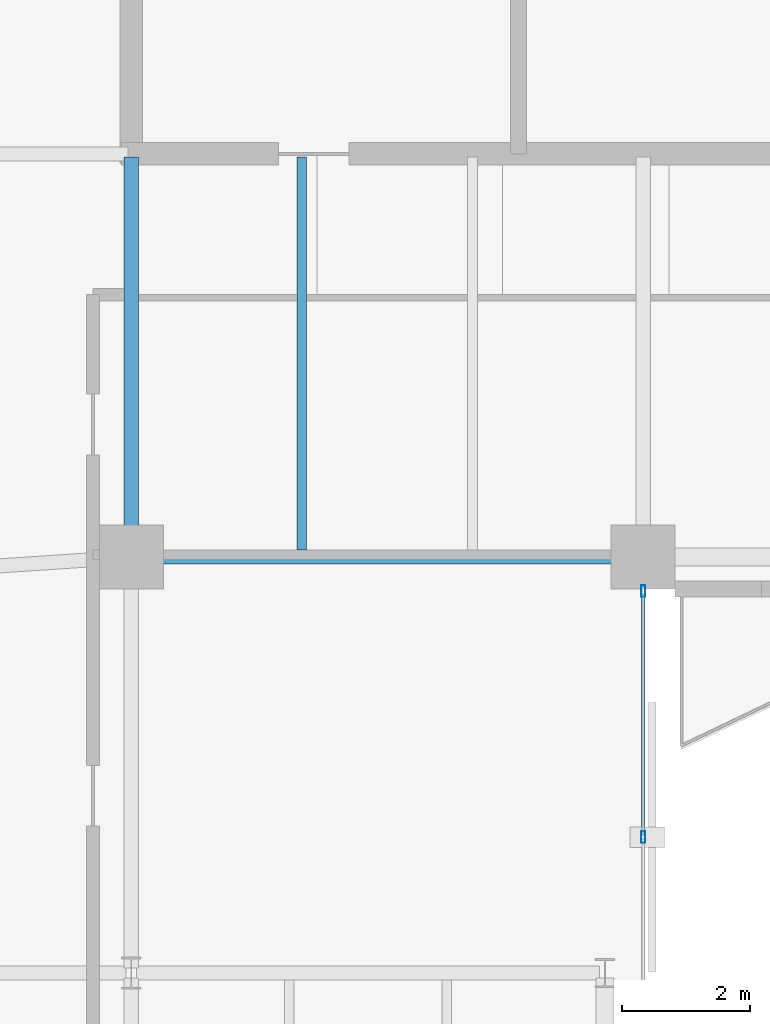
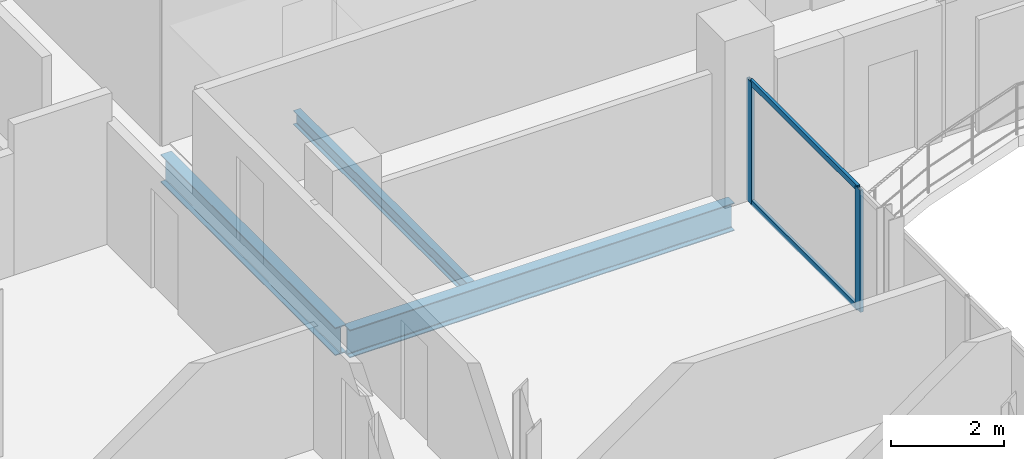
# One storey, part 10 of 23: 4 members, 3 beams, 1 element without a shape of its own.
"""IFC4 building model written with IfcOpenShell, lengths in metres."""

import ifcopenshell
import ifcopenshell.guid

model = None  # the IFC model being written
_history = None  # IfcOwnerHistory: only IFC2X3 demands one
_inside = {}  # id of a spatial element -> (the spatial element, [elements in it])
_under = {}  # id of a project, library or spatial element -> (it, [spatial elements below it])
_declared = {}  # id of a project -> (the project, [libraries it declares])
_typed = {}  # id of a type object -> (the type object, [elements of that type])
_made_of = {}  # id of a material, layer set ... -> (it, [elements and type objects made of it])


def new_model(schema):
    """Start an empty IFC model of exactly this schema.

    Asked for "IFC4X3", IfcOpenShell would pick the latest addendum, in which some entities
    have other attributes; the version numbers below select the first issue.
    IFC2X3 requires an IfcOwnerHistory on every rooted entity: one is made here for all.
    """
    global model, _history
    if schema == "IFC4X3":
        model = ifcopenshell.file(schema_version=(4, 3, 0, 0))
    else:
        model = ifcopenshell.file(schema=schema)
    _inside.clear()
    _under.clear()
    _declared.clear()
    _typed.clear()
    _made_of.clear()
    _history = None
    if model.schema == "IFC2X3":
        org = make("IfcOrganization", Name="unknown")
        user = make(
            "IfcPersonAndOrganization",
            ThePerson=make("IfcPerson", FamilyName="unknown"),
            TheOrganization=org,
        )
        app = make(
            "IfcApplication",
            ApplicationDeveloper=org,
            Version="unknown",
            ApplicationFullName="unknown",
            ApplicationIdentifier="unknown",
        )
        _history = make(
            "IfcOwnerHistory",
            OwningUser=user,
            OwningApplication=app,
            ChangeAction="ADDED",
            CreationDate=0,
        )
    return model


def make(cls, **values):
    """One entity of the class cls with the attributes given. An attribute that is None is left unset."""
    return model.create_entity(
        cls, **{name: value for name, value in values.items() if value is not None}
    )


def rooted(cls, **values):
    """An entity with a GlobalId (a new one), such as an element, a storey or a relation."""
    return make(cls, GlobalId=ifcopenshell.guid.new(), OwnerHistory=_history, **values)


def si_unit(unit_type, name, prefix=None):
    """IfcSIUnit, for example si_unit("LENGTHUNIT", "METRE", prefix="MILLI")."""
    return make("IfcSIUnit", UnitType=unit_type, Prefix=prefix, Name=name)


def assignment(units):
    """IfcUnitAssignment: the units of a project."""
    return None if units is None else make("IfcUnitAssignment", Units=units)


def point(xyz):
    """IfcCartesianPoint."""
    return None if xyz is None else make("IfcCartesianPoint", Coordinates=xyz)


def direction(xyz):
    """IfcDirection."""
    return None if xyz is None else make("IfcDirection", DirectionRatios=xyz)


def frame(location, z_axis=None, x_axis=None):
    """IfcAxis2Placement3D, a coordinate frame: its origin and axes. An axis left out is left unset."""
    return make(
        "IfcAxis2Placement3D",
        Location=point(location),
        Axis=direction(z_axis),
        RefDirection=direction(x_axis),
    )


def frame_2d(location, x_axis=None):
    """IfcAxis2Placement2D, a coordinate frame in the plane: its origin and x axis."""
    return make(
        "IfcAxis2Placement2D", Location=point(location), RefDirection=direction(x_axis)
    )


def origin():
    """The frame at (0, 0, 0) with its axes left unset."""
    return frame((0.0, 0.0, 0.0))


def origin_2d():
    """The frame at (0, 0) in the plane with its x axis left unset."""
    return frame_2d((0.0, 0.0))


def place(relative_to, where):
    """IfcLocalPlacement: puts the frame where relative to a parent placement (None: the world)."""
    return make(
        "IfcLocalPlacement", PlacementRelTo=relative_to, RelativePlacement=where
    )


def context(
    kind, dimensions, precision=None, world=None, true_north=None, identifier=None
):
    """IfcGeometricRepresentationContext, for example the 3D "Model" context."""
    return make(
        "IfcGeometricRepresentationContext",
        ContextIdentifier=identifier,
        ContextType=kind,
        CoordinateSpaceDimension=dimensions,
        Precision=precision,
        WorldCoordinateSystem=world,
        TrueNorth=true_north,
    )


def subcontext(parent, identifier, kind, view, scale=None):
    """IfcGeometricRepresentationSubContext, for example "Body" below "Model"."""
    return make(
        "IfcGeometricRepresentationSubContext",
        ContextIdentifier=identifier,
        ContextType=kind,
        ParentContext=parent,
        TargetScale=scale,
        TargetView=view,
    )


def project(units=None, contexts=None):
    """IfcProject with its units and contexts."""
    return rooted(
        "IfcProject",
        Name="project",
        RepresentationContexts=contexts,
        UnitsInContext=assignment(units),
    )


def spatial(cls, under=None, at=None, **own):
    """A site, building, storey or space (cls), placed at a placement, below another one or the project."""
    s = rooted(cls, ObjectPlacement=at, **own)
    if under is not None:
        _under.setdefault(under.id(), (under, []))[1].append(s)
    return s


def profile(cls, at=None, kind="AREA", **sizes):
    """A parametric profile (cls). Its sizes go by their IFC names, for example OverallWidth=200.0."""
    return make(cls, ProfileType=kind, Position=at, **sizes)


def hollow_rectangle(**sizes):
    """IfcRectangleHollowProfileDef."""
    return profile("IfcRectangleHollowProfileDef", **sizes)


def i_section(**sizes):
    """IfcIShapeProfileDef."""
    return profile("IfcIShapeProfileDef", **sizes)


def extrude(swept, where, along, depth):
    """IfcExtrudedAreaSolid: the profile swept, set in the frame where, extruded along a direction by depth."""
    return make(
        "IfcExtrudedAreaSolid",
        SweptArea=swept,
        Position=where,
        ExtrudedDirection=direction(along),
        Depth=depth,
    )


def shape(context_of_items, identifier, shape_type, items):
    """IfcShapeRepresentation: the items that make up one representation, for example the "Body"."""
    return make(
        "IfcShapeRepresentation",
        ContextOfItems=context_of_items,
        RepresentationIdentifier=identifier,
        RepresentationType=shape_type,
        Items=items,
    )


def material(Name=None, Category=None):
    """IfcMaterial."""
    return make("IfcMaterial", Name=Name, Category=Category)


def layer(
    of_material, thickness, ventilated=None, Name=None, Category=None, Priority=None
):
    """IfcMaterialLayer: one layer of a wall or slab, of a material (None: an air gap)."""
    return make(
        "IfcMaterialLayer",
        Material=of_material,
        LayerThickness=thickness,
        IsVentilated=ventilated,
        Name=Name,
        Category=Category,
        Priority=Priority,
    )


def layer_set(layers, Name=None):
    """IfcMaterialLayerSet."""
    return make("IfcMaterialLayerSet", MaterialLayers=layers, LayerSetName=Name)


def material_profile(
    of_material, cross_section, Name=None, Category=None, Priority=None
):
    """IfcMaterialProfile: a cross section and its material."""
    return make(
        "IfcMaterialProfile",
        Name=Name,
        Material=of_material,
        Profile=cross_section,
        Priority=Priority,
        Category=Category,
    )


def profile_set(profiles, Name=None, composite=None):
    """IfcMaterialProfileSet."""
    return make(
        "IfcMaterialProfileSet",
        Name=Name,
        MaterialProfiles=profiles,
        CompositeProfile=composite,
    )


def made_of(thing, what):
    """Note that an element or type object is made of a material, layer set ...; save() writes the relation."""
    if what is not None:
        _made_of.setdefault(what.id(), (what, []))[1].append(thing)
    return thing


def type_object(cls, material=None, **own):
    """A type object (cls), such as IfcWallType, which elements share."""
    return made_of(rooted(cls, **own), material)


def element(
    cls,
    number,
    at=None,
    inside=None,
    cuts=None,
    type_object=None,
    material=None,
    context=None,
    identifier="Body",
    shape_type=None,
    held_by="IfcProductDefinitionShape",
    body=None,
    shapes=None,
    **own,
):
    """One element of the class cls, such as IfcWall. Its Tag is "e" and its number.

    at: its placement. inside: the storey or other place that contains it. cuts: it is an
    opening in that element (IfcRelVoidsElement). A single representation is given by context,
    identifier, shape_type and body (its items); several are given by shapes. held_by: the class
    of the entity that holds the representations. save() writes the other relations.
    """
    e = rooted(cls, Tag="e%d" % number, ObjectPlacement=at, **own)
    if body is not None:
        shapes = [shape(context, identifier, shape_type, body)]
    if shapes is not None:
        e.Representation = make(held_by, Representations=shapes)
    if inside is not None:
        _inside.setdefault(inside.id(), (inside, []))[1].append(e)
    if cuts is not None:
        rooted(
            "IfcRelVoidsElement", RelatingBuildingElement=cuts, RelatedOpeningElement=e
        )
    if type_object is not None:
        _typed.setdefault(type_object.id(), (type_object, []))[1].append(e)
    return made_of(e, material)


def aggregate(whole, parts):
    """IfcRelAggregates: a whole, such as a stair, and the parts it consists of."""
    return rooted("IfcRelAggregates", RelatingObject=whole, RelatedObjects=parts)


def save(model, path):
    """Write the relations noted so far, then the file.

    IfcRelAggregates (storeys below a building ...), IfcRelContainedInSpatialStructure (elements
    in a storey), IfcRelDefinesByType, IfcRelAssociatesMaterial and IfcRelDeclares: one each for
    every whole, place, type object, material and project.
    """
    for whole, parts in _under.values():
        aggregate(whole, parts)
    for where, things in _inside.values():
        rooted(
            "IfcRelContainedInSpatialStructure",
            RelatedElements=things,
            RelatingStructure=where,
        )
    for kind, things in _typed.values():
        rooted("IfcRelDefinesByType", RelatedObjects=things, RelatingType=kind)
    for what, things in _made_of.values():
        rooted("IfcRelAssociatesMaterial", RelatedObjects=things, RelatingMaterial=what)
    for by, libraries in _declared.values():
        rooted("IfcRelDeclares", RelatingContext=by, RelatedDefinitions=libraries)
    model.write(path)


model = new_model("IFC4")

# Units and contexts
model_context = context("Model", 3, precision=1e-05, world=origin(), true_north=direction((0.0, 1.0)))
body_context = subcontext(model_context, "Body", "Model", "MODEL_VIEW")
ifc_project = project(units=[si_unit("LENGTHUNIT", "METRE"), si_unit("AREAUNIT", "SQUARE_METRE"), si_unit("VOLUMEUNIT", "CUBIC_METRE"), si_unit("PLANEANGLEUNIT", "RADIAN"), si_unit("MASSUNIT", "GRAM", prefix="KILO")], contexts=[model_context])

# Site, building, storey
site_placement = place(None, origin())
site = spatial("IfcSite", under=ifc_project, at=site_placement, CompositionType="ELEMENT")
building_placement = place(site_placement, origin())
building = spatial("IfcBuilding", under=site, at=building_placement, Name="Catumbela Crestline Tower", CompositionType="ELEMENT")
storey_placement = place(building_placement, frame((0.0, 0.0, 204.6)))
storey = spatial("IfcBuildingStorey", under=building, at=storey_placement, Name="L53", CompositionType="ELEMENT", Elevation=204.6)

# Beams
ifc_material_1 = material(Name="Structural steel S355J2", Category="steel")
ifc_material_profile_1 = material_profile(ifc_material_1, i_section(OverallWidth=0.22, OverallDepth=0.6, WebThickness=0.012, FlangeThickness=0.019, FilletRadius=0.024, at=origin_2d()), Name="IPE 600")
ifc_profile_set_1 = profile_set([ifc_material_profile_1], Name="Structural steel S355J2")
beam_type_1 = type_object("IfcBeamType", Name="BG-IPE600", PredefinedType="BEAM", material=ifc_profile_set_1)
beam_1_placement = place(storey_placement, frame((16.08, 24.5, -0.56), z_axis=(1.0, 0.0, 0.0), x_axis=(0.0, 1.0, 0.0)))
element("IfcBeam", 1, at=beam_1_placement, inside=storey, type_object=beam_type_1, Name="L53 Beam BM-L53-S03", PredefinedType="BEAM", context=body_context, shape_type="SweptSolid", body=[
    extrude(i_section(OverallWidth=0.22, OverallDepth=0.6, WebThickness=0.012, FlangeThickness=0.019, FilletRadius=0.024, at=origin_2d()), origin(), (0.0, 0.0, 1.0), 7.84),
])
beam_2_placement = place(storey_placement, frame((16.0, 24.58, -0.56), z_axis=(0.0, 1.0, 0.0), x_axis=(-1.0, 0.0, 0.0)))
element("IfcBeam", 2, at=beam_2_placement, inside=storey, type_object=beam_type_1, Name="L53 Beam BM-L53-SNS17", PredefinedType="BEAM", context=body_context, shape_type="SweptSolid", body=[
    extrude(i_section(OverallWidth=0.22, OverallDepth=0.6, WebThickness=0.012, FlangeThickness=0.019, FilletRadius=0.024, at=origin_2d()), origin(), (0.0, 0.0, 1.0), 6.17),
])
ifc_material_profile_2 = material_profile(ifc_material_1, i_section(OverallWidth=0.15, OverallDepth=0.3, WebThickness=0.0071, FlangeThickness=0.0107, FilletRadius=0.015, at=origin_2d()), Name="IPE 300")
ifc_profile_set_2 = profile_set([ifc_material_profile_2], Name="Structural steel S355J2")
beam_type_2 = type_object("IfcBeamType", Name="BJ-IPE300", PredefinedType="JOIST", material=ifc_profile_set_2)
beam_3_placement = place(storey_placement, frame((18.667, 24.61, -0.41), z_axis=(0.0, 1.0, 0.0), x_axis=(-1.0, 0.0, 0.0)))
element("IfcBeam", 3, at=beam_3_placement, inside=storey, type_object=beam_type_2, Name="L53 Joist JS-L53-SP26", PredefinedType="JOIST", context=body_context, shape_type="SweptSolid", body=[
    extrude(i_section(OverallWidth=0.15, OverallDepth=0.3, WebThickness=0.0071, FlangeThickness=0.0107, FilletRadius=0.015, at=origin_2d()), origin(), (0.0, 0.0, 1.0), 6.14),
])

# Curtain wall, members
ifc_material_2 = material(Name="Aluminium alloy AW-6060-T66", Category="aluminium")
ifc_layer = layer(ifc_material_2, 0.18, Name="Aluminium alloy AW-6060-T66")
ifc_layer_set = layer_set([ifc_layer], Name="Aluminium alloy AW-6060-T66")
curtain_wall_type = type_object("IfcCurtainWallType", Name="CWU-Z3", PredefinedType="USERDEFINED", material=ifc_layer_set)
curtain_wall_placement = place(storey_placement, origin())
curtain_wall = element("IfcCurtainWall", 4, at=curtain_wall_placement, inside=storey, type_object=curtain_wall_type, Name="L53 Unitised Curtain Wall CW-L53-E2S1", ObjectType="UNITISED", PredefinedType="USERDEFINED")
ifc_material_profile_3 = material_profile(ifc_material_2, hollow_rectangle(XDim=0.065, YDim=0.18, WallThickness=0.004, at=origin_2d()), Name="ALU 180x65x4")
ifc_profile_set_3 = profile_set([ifc_material_profile_3], Name="Aluminium alloy AW-6060-T66")
member_type_1 = type_object("IfcMemberType", Name="MUL-180X65", PredefinedType="MULLION", material=ifc_profile_set_3)
member_1_placement = place(storey_placement, frame((24.0, 20.125, 0.0), z_axis=(0.0, 0.0, 1.0), x_axis=(-1.0, 0.0, 0.0)))
member_1 = element("IfcMember", 5, at=member_1_placement, type_object=member_type_1, Name="CWU-Z3 mullion 4", PredefinedType="MULLION", context=body_context, shape_type="SweptSolid", body=[
    extrude(hollow_rectangle(XDim=0.065, YDim=0.18, WallThickness=0.004, at=origin_2d()), origin(), (0.0, 0.0, 1.0), 2.63),
])
member_2_placement = place(storey_placement, frame((24.0, 23.9675, 0.0), z_axis=(0.0, 0.0, 1.0), x_axis=(-1.0, 0.0, 0.0)))
member_2 = element("IfcMember", 6, at=member_2_placement, type_object=member_type_1, Name="CWU-Z3 mullion 5", PredefinedType="MULLION", context=body_context, shape_type="SweptSolid", body=[
    extrude(hollow_rectangle(XDim=0.065, YDim=0.18, WallThickness=0.004, at=origin_2d()), origin(), (0.0, 0.0, 1.0), 2.63),
])
ifc_material_profile_4 = material_profile(ifc_material_2, hollow_rectangle(XDim=0.06, YDim=0.12, WallThickness=0.0035, at=origin_2d()), Name="ALU 120x60x3.5")
ifc_profile_set_4 = profile_set([ifc_material_profile_4], Name="Aluminium alloy AW-6060-T66")
member_type_2 = type_object("IfcMemberType", Name="TRN-120X60", PredefinedType="USERDEFINED", material=ifc_profile_set_4)
member_3_placement = place(storey_placement, frame((24.0, 20.1575, 0.03), z_axis=(0.0, 1.0, 0.0), x_axis=(-1.0, 0.0, 0.0)))
member_3 = element("IfcMember", 7, at=member_3_placement, type_object=member_type_2, Name="CWU-Z3 transom 4.1", ObjectType="TRANSOM", PredefinedType="USERDEFINED", context=body_context, shape_type="SweptSolid", body=[
    extrude(hollow_rectangle(XDim=0.06, YDim=0.12, WallThickness=0.0035, at=origin_2d()), origin(), (0.0, 0.0, 1.0), 3.7775),
])
member_4_placement = place(storey_placement, frame((24.0, 20.1575, 2.6), z_axis=(0.0, 1.0, 0.0), x_axis=(-1.0, 0.0, 0.0)))
member_4 = element("IfcMember", 8, at=member_4_placement, type_object=member_type_2, Name="CWU-Z3 transom 4.2", ObjectType="TRANSOM", PredefinedType="USERDEFINED", context=body_context, shape_type="SweptSolid", body=[
    extrude(hollow_rectangle(XDim=0.06, YDim=0.12, WallThickness=0.0035, at=origin_2d()), origin(), (0.0, 0.0, 1.0), 3.7775),
])
aggregate(curtain_wall, [member_1, member_2, member_3, member_4])

save(model, "model.ifc")
